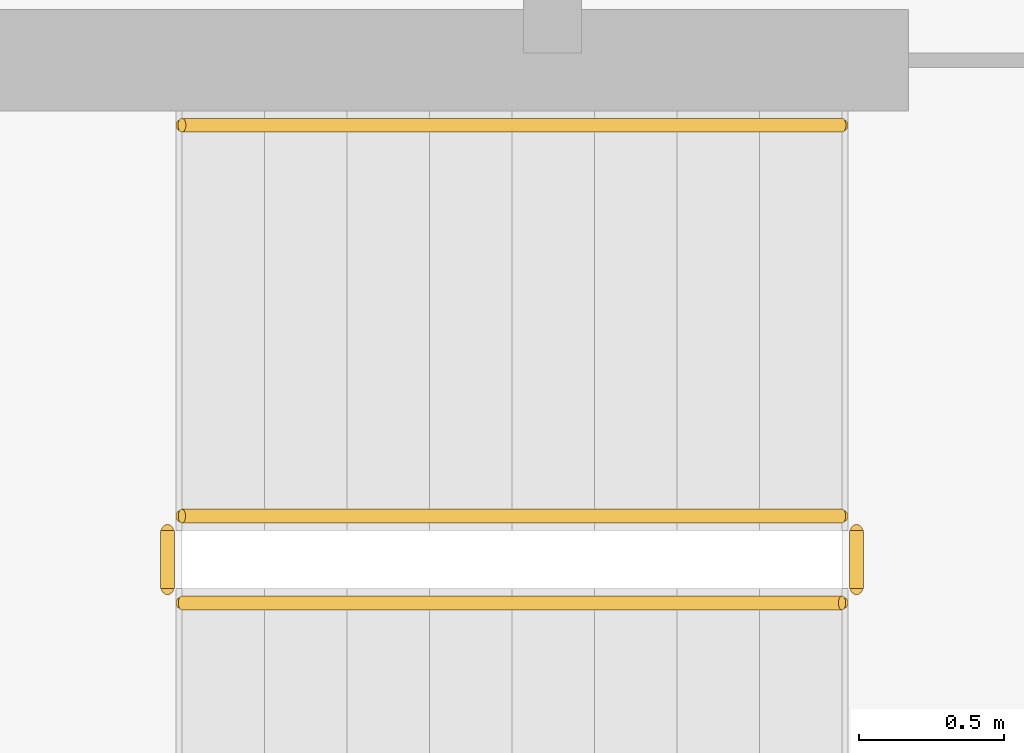
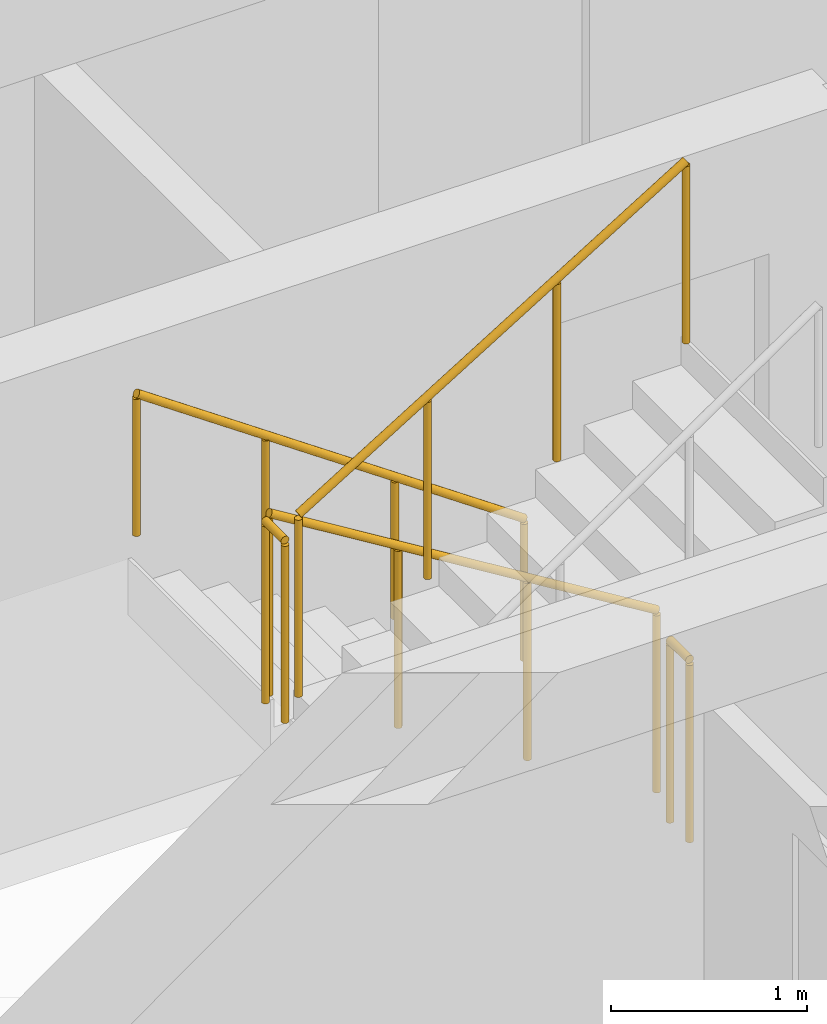
# One storey, part 40 of 57: 5 railings.
"""IFC4 building model written with IfcOpenShell, lengths in metres."""

import ifcopenshell
import ifcopenshell.guid

model = None  # the IFC model being written
_history = None  # IfcOwnerHistory: only IFC2X3 demands one
_inside = {}  # id of a spatial element -> (the spatial element, [elements in it])
_under = {}  # id of a project, library or spatial element -> (it, [spatial elements below it])
_declared = {}  # id of a project -> (the project, [libraries it declares])
_typed = {}  # id of a type object -> (the type object, [elements of that type])
_made_of = {}  # id of a material, layer set ... -> (it, [elements and type objects made of it])


def new_model(schema):
    """Start an empty IFC model of exactly this schema.

    Asked for "IFC4X3", IfcOpenShell would pick the latest addendum, in which some entities
    have other attributes; the version numbers below select the first issue.
    IFC2X3 requires an IfcOwnerHistory on every rooted entity: one is made here for all.
    """
    global model, _history
    if schema == "IFC4X3":
        model = ifcopenshell.file(schema_version=(4, 3, 0, 0))
    else:
        model = ifcopenshell.file(schema=schema)
    _inside.clear()
    _under.clear()
    _declared.clear()
    _typed.clear()
    _made_of.clear()
    _history = None
    if model.schema == "IFC2X3":
        org = make("IfcOrganization", Name="unknown")
        user = make(
            "IfcPersonAndOrganization",
            ThePerson=make("IfcPerson", FamilyName="unknown"),
            TheOrganization=org,
        )
        app = make(
            "IfcApplication",
            ApplicationDeveloper=org,
            Version="unknown",
            ApplicationFullName="unknown",
            ApplicationIdentifier="unknown",
        )
        _history = make(
            "IfcOwnerHistory",
            OwningUser=user,
            OwningApplication=app,
            ChangeAction="ADDED",
            CreationDate=0,
        )
    return model


def make(cls, **values):
    """One entity of the class cls with the attributes given. An attribute that is None is left unset."""
    return model.create_entity(
        cls, **{name: value for name, value in values.items() if value is not None}
    )


def rooted(cls, **values):
    """An entity with a GlobalId (a new one), such as an element, a storey or a relation."""
    return make(cls, GlobalId=ifcopenshell.guid.new(), OwnerHistory=_history, **values)


def si_unit(unit_type, name, prefix=None):
    """IfcSIUnit, for example si_unit("LENGTHUNIT", "METRE", prefix="MILLI")."""
    return make("IfcSIUnit", UnitType=unit_type, Prefix=prefix, Name=name)


def assignment(units):
    """IfcUnitAssignment: the units of a project."""
    return None if units is None else make("IfcUnitAssignment", Units=units)


def point(xyz):
    """IfcCartesianPoint."""
    return None if xyz is None else make("IfcCartesianPoint", Coordinates=xyz)


def direction(xyz):
    """IfcDirection."""
    return None if xyz is None else make("IfcDirection", DirectionRatios=xyz)


def frame(location, z_axis=None, x_axis=None):
    """IfcAxis2Placement3D, a coordinate frame: its origin and axes. An axis left out is left unset."""
    return make(
        "IfcAxis2Placement3D",
        Location=point(location),
        Axis=direction(z_axis),
        RefDirection=direction(x_axis),
    )


def frame_2d(location, x_axis=None):
    """IfcAxis2Placement2D, a coordinate frame in the plane: its origin and x axis."""
    return make(
        "IfcAxis2Placement2D", Location=point(location), RefDirection=direction(x_axis)
    )


def origin():
    """The frame at (0, 0, 0) with its axes left unset."""
    return frame((0.0, 0.0, 0.0))


def origin_2d():
    """The frame at (0, 0) in the plane with its x axis left unset."""
    return frame_2d((0.0, 0.0))


def place(relative_to, where):
    """IfcLocalPlacement: puts the frame where relative to a parent placement (None: the world)."""
    return make(
        "IfcLocalPlacement", PlacementRelTo=relative_to, RelativePlacement=where
    )


def context(
    kind, dimensions, precision=None, world=None, true_north=None, identifier=None
):
    """IfcGeometricRepresentationContext, for example the 3D "Model" context."""
    return make(
        "IfcGeometricRepresentationContext",
        ContextIdentifier=identifier,
        ContextType=kind,
        CoordinateSpaceDimension=dimensions,
        Precision=precision,
        WorldCoordinateSystem=world,
        TrueNorth=true_north,
    )


def subcontext(parent, identifier, kind, view, scale=None):
    """IfcGeometricRepresentationSubContext, for example "Body" below "Model"."""
    return make(
        "IfcGeometricRepresentationSubContext",
        ContextIdentifier=identifier,
        ContextType=kind,
        ParentContext=parent,
        TargetScale=scale,
        TargetView=view,
    )


def project(units=None, contexts=None):
    """IfcProject with its units and contexts."""
    return rooted(
        "IfcProject",
        Name="project",
        RepresentationContexts=contexts,
        UnitsInContext=assignment(units),
    )


def spatial(cls, under=None, at=None, **own):
    """A site, building, storey or space (cls), placed at a placement, below another one or the project."""
    s = rooted(cls, ObjectPlacement=at, **own)
    if under is not None:
        _under.setdefault(under.id(), (under, []))[1].append(s)
    return s


def profile(cls, at=None, kind="AREA", **sizes):
    """A parametric profile (cls). Its sizes go by their IFC names, for example OverallWidth=200.0."""
    return make(cls, ProfileType=kind, Position=at, **sizes)


def circle(**sizes):
    """IfcCircleProfileDef."""
    return profile("IfcCircleProfileDef", **sizes)


def extrude(swept, where, along, depth):
    """IfcExtrudedAreaSolid: the profile swept, set in the frame where, extruded along a direction by depth."""
    return make(
        "IfcExtrudedAreaSolid",
        SweptArea=swept,
        Position=where,
        ExtrudedDirection=direction(along),
        Depth=depth,
    )


def shape(context_of_items, identifier, shape_type, items):
    """IfcShapeRepresentation: the items that make up one representation, for example the "Body"."""
    return make(
        "IfcShapeRepresentation",
        ContextOfItems=context_of_items,
        RepresentationIdentifier=identifier,
        RepresentationType=shape_type,
        Items=items,
    )


def material(Name=None, Category=None):
    """IfcMaterial."""
    return make("IfcMaterial", Name=Name, Category=Category)


def made_of(thing, what):
    """Note that an element or type object is made of a material, layer set ...; save() writes the relation."""
    if what is not None:
        _made_of.setdefault(what.id(), (what, []))[1].append(thing)
    return thing


def type_object(cls, material=None, **own):
    """A type object (cls), such as IfcWallType, which elements share."""
    return made_of(rooted(cls, **own), material)


def element(
    cls,
    number,
    at=None,
    inside=None,
    cuts=None,
    type_object=None,
    material=None,
    context=None,
    identifier="Body",
    shape_type=None,
    held_by="IfcProductDefinitionShape",
    body=None,
    shapes=None,
    **own,
):
    """One element of the class cls, such as IfcWall. Its Tag is "e" and its number.

    at: its placement. inside: the storey or other place that contains it. cuts: it is an
    opening in that element (IfcRelVoidsElement). A single representation is given by context,
    identifier, shape_type and body (its items); several are given by shapes. held_by: the class
    of the entity that holds the representations. save() writes the other relations.
    """
    e = rooted(cls, Tag="e%d" % number, ObjectPlacement=at, **own)
    if body is not None:
        shapes = [shape(context, identifier, shape_type, body)]
    if shapes is not None:
        e.Representation = make(held_by, Representations=shapes)
    if inside is not None:
        _inside.setdefault(inside.id(), (inside, []))[1].append(e)
    if cuts is not None:
        rooted(
            "IfcRelVoidsElement", RelatingBuildingElement=cuts, RelatedOpeningElement=e
        )
    if type_object is not None:
        _typed.setdefault(type_object.id(), (type_object, []))[1].append(e)
    return made_of(e, material)


def aggregate(whole, parts):
    """IfcRelAggregates: a whole, such as a stair, and the parts it consists of."""
    return rooted("IfcRelAggregates", RelatingObject=whole, RelatedObjects=parts)


def save(model, path):
    """Write the relations noted so far, then the file.

    IfcRelAggregates (storeys below a building ...), IfcRelContainedInSpatialStructure (elements
    in a storey), IfcRelDefinesByType, IfcRelAssociatesMaterial and IfcRelDeclares: one each for
    every whole, place, type object, material and project.
    """
    for whole, parts in _under.values():
        aggregate(whole, parts)
    for where, things in _inside.values():
        rooted(
            "IfcRelContainedInSpatialStructure",
            RelatedElements=things,
            RelatingStructure=where,
        )
    for kind, things in _typed.values():
        rooted("IfcRelDefinesByType", RelatedObjects=things, RelatingType=kind)
    for what, things in _made_of.values():
        rooted("IfcRelAssociatesMaterial", RelatedObjects=things, RelatingMaterial=what)
    for by, libraries in _declared.values():
        rooted("IfcRelDeclares", RelatingContext=by, RelatedDefinitions=libraries)
    model.write(path)


model = new_model("IFC4")

# Units and contexts
model_context = context("Model", 3, precision=1e-05, world=origin(), true_north=direction((0.0, 1.0)))
body_context = subcontext(model_context, "Body", "Model", "MODEL_VIEW")
ifc_project = project(units=[si_unit("LENGTHUNIT", "METRE"), si_unit("AREAUNIT", "SQUARE_METRE"), si_unit("VOLUMEUNIT", "CUBIC_METRE"), si_unit("PLANEANGLEUNIT", "RADIAN"), si_unit("MASSUNIT", "GRAM", prefix="KILO")], contexts=[model_context])

# Site, building, storey
site_placement = place(None, origin())
site = spatial("IfcSite", under=ifc_project, at=site_placement, CompositionType="ELEMENT")
building_placement = place(site_placement, origin())
building = spatial("IfcBuilding", under=site, at=building_placement, Name="Kiranvali Square Residences", CompositionType="ELEMENT")
storey_placement = place(building_placement, frame((0.0, 0.0, 21.300048828125)))
storey = spatial("IfcBuildingStorey", under=building, at=storey_placement, Name="L06", CompositionType="ELEMENT", Elevation=21.300048828125)

# Railings
ifc_material_1 = material(Name="Brushed stainless steel tubular handrail", Category="steel")
railing_type_1 = type_object("IfcRailingType", Name="RL-HANDRAIL-900", PredefinedType="HANDRAIL", material=ifc_material_1)
railing_1_placement = place(storey_placement, frame((54.699951171875, 16.800048828125, 0.175048828125)))
element("IfcRailing", 1, at=railing_1_placement, inside=storey, type_object=railing_type_1, Name="L06 ST-C1 stair handrail 1", PredefinedType="HANDRAIL", context=body_context, shape_type="SweptSolid", body=[
    extrude(circle(Radius=0.02392578125, at=origin_2d()), frame((0.0, 0.0, 0.8759765625), z_axis=(-0.82278801735, 0.0, 0.568348377763), x_axis=(0.0, -1.0, 0.0)), (0.0, 0.0, 1.0), 2.77099609375),
    extrude(circle(Radius=0.02099609375, at=origin_2d()), origin(), (0.0, 0.0, 1.0), 0.851806640625),
    extrude(circle(Radius=0.02099609375, at=origin_2d()), frame((-0.760009765625, 0.0, 0.52490234375)), (0.0, 0.0, 1.0), 0.851806640625),
    extrude(circle(Radius=0.02099609375, at=origin_2d()), frame((-1.52001953125, 0.0, 1.050048828125)), (0.0, 0.0, 1.0), 0.851806640625),
    extrude(circle(Radius=0.02099609375, at=origin_2d()), frame((-2.280029296875, 0.0, 1.574951171875)), (0.0, 0.0, 1.0), 0.851806640625),
])
ifc_material_2 = material(Name="Powder-coated architectural bronze balustrade", Category="steel")
railing_type_2 = type_object("IfcRailingType", Name="RL-ST-GUARD-1200", PredefinedType="GUARDRAIL", material=ifc_material_2)
railing_2_placement = place(storey_placement, frame((54.699951171875, 15.449951171875, 0.175048828125)))
element("IfcRailing", 2, at=railing_2_placement, inside=storey, type_object=railing_type_2, Name="L06 ST-C1 stair guard 1", PredefinedType="GUARDRAIL", context=body_context, shape_type="SweptSolid", body=[
    extrude(circle(Radius=0.02392578125, at=origin_2d()), frame((0.0, 0.0, 1.1259765625), z_axis=(-0.852190499154, 0.0, 0.523231643875), x_axis=(0.0, -1.0, 0.0)), (0.0, 0.0, 1.0), 2.675537109375),
    extrude(circle(Radius=0.02099609375, at=origin_2d()), origin(), (0.0, 0.0, 1.0), 1.101806640625),
    extrude(circle(Radius=0.02099609375, at=origin_2d()), frame((-0.760009765625, 0.0, 0.466552734375)), (0.0, 0.0, 1.0), 1.101806640625),
    extrude(circle(Radius=0.02099609375, at=origin_2d()), frame((-1.52001953125, 0.0, 0.933349609375)), (0.0, 0.0, 1.0), 1.101806640625),
    extrude(circle(Radius=0.02099609375, at=origin_2d()), frame((-2.280029296875, 0.0, 1.39990234375)), (0.0, 0.0, 1.0), 1.101806640625),
])
railing_3_placement = place(storey_placement, frame((52.3701171875, 15.39990234375, 1.574951171875)))
element("IfcRailing", 3, at=railing_3_placement, inside=storey, type_object=railing_type_2, Name="L06 ST-C1 stair guard 2", PredefinedType="GUARDRAIL", context=body_context, shape_type="SweptSolid", body=[
    extrude(circle(Radius=0.02392578125, at=origin_2d()), frame((0.0, 0.0, 1.1259765625), z_axis=(0.0, -1.0, 0.0), x_axis=(1.0, 0.0, 0.0)), (0.0, 0.0, 1.0), 0.199951171875),
    extrude(circle(Radius=0.02099609375, at=origin_2d()), origin(), (0.0, 0.0, 1.0), 1.101806640625),
    extrude(circle(Radius=0.02099609375, at=origin_2d()), frame((0.0, -0.199951171875, 0.0)), (0.0, 0.0, 1.0), 1.101806640625),
])
railing_4_placement = place(storey_placement, frame((52.419921875, 15.14990234375, 1.75)))
element("IfcRailing", 4, at=railing_4_placement, inside=storey, type_object=railing_type_2, Name="L06 ST-C1 stair guard 3", PredefinedType="GUARDRAIL", context=body_context, shape_type="SweptSolid", body=[
    extrude(circle(Radius=0.02392578125, at=origin_2d()), frame((0.0, 0.0, 1.1259765625), z_axis=(0.852190499154, 0.0, 0.523231643875), x_axis=(0.0, 1.0, 0.0)), (0.0, 0.0, 1.0), 2.675537109375),
    extrude(circle(Radius=0.02099609375, at=origin_2d()), origin(), (0.0, 0.0, 1.0), 1.101806640625),
    extrude(circle(Radius=0.02099609375, at=origin_2d()), frame((0.760009765625, 0.0, 0.466552734375)), (0.0, 0.0, 1.0), 1.101806640625),
    extrude(circle(Radius=0.02099609375, at=origin_2d()), frame((1.52001953125, 0.0, 0.933349609375)), (0.0, 0.0, 1.0), 1.101806640625),
    extrude(circle(Radius=0.02099609375, at=origin_2d()), frame((2.280029296875, 0.0, 1.39990234375)), (0.0, 0.0, 1.0), 1.101806640625),
])
railing_5_placement = place(storey_placement, frame((54.75, 15.39990234375, 0.0)))
element("IfcRailing", 5, at=railing_5_placement, inside=storey, type_object=railing_type_2, Name="L06 ST-C1 stair guard 4", PredefinedType="GUARDRAIL", context=body_context, shape_type="SweptSolid", body=[
    extrude(circle(Radius=0.02392578125, at=origin_2d()), frame((0.0, 0.0, 1.1259765625), z_axis=(0.0, -1.0, 0.0), x_axis=(1.0, 0.0, 0.0)), (0.0, 0.0, 1.0), 0.199951171875),
    extrude(circle(Radius=0.02099609375, at=origin_2d()), origin(), (0.0, 0.0, 1.0), 1.101806640625),
    extrude(circle(Radius=0.02099609375, at=origin_2d()), frame((0.0, -0.199951171875, 0.0)), (0.0, 0.0, 1.0), 1.101806640625),
])

save(model, "model.ifc")
